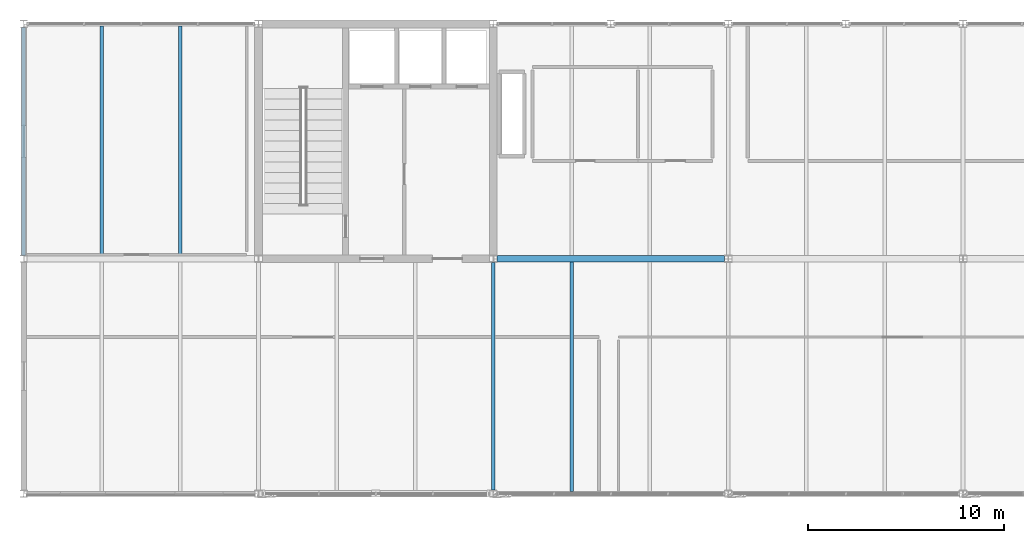
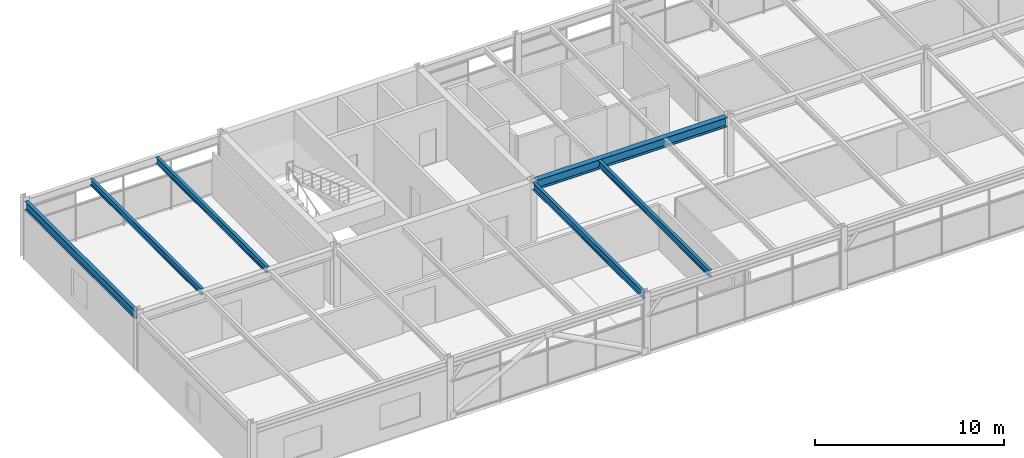
# One storey, part 10 of 40: 6 beams.
"""IFC4 building model written with IfcOpenShell, lengths in metres."""

from ifc_helpers import new_model, si_unit, direction, frame, origin, origin_2d, place, context, subcontext, project, spatial, i_section, extrude, material, material_profile, profile_set, type_object, element, save


model = new_model("IFC4")

# Units and contexts
model_context = context("Model", 3, precision=1e-05, world=origin(), true_north=direction((0.0, 1.0)))
body_context = subcontext(model_context, "Body", "Model", "MODEL_VIEW")
ifc_project = project(units=[si_unit("LENGTHUNIT", "METRE"), si_unit("AREAUNIT", "SQUARE_METRE"), si_unit("VOLUMEUNIT", "CUBIC_METRE"), si_unit("PLANEANGLEUNIT", "RADIAN"), si_unit("MASSUNIT", "GRAM", prefix="KILO")], contexts=[model_context])

# Site, building, storey
site_placement = place(None, origin())
site = spatial("IfcSite", under=ifc_project, at=site_placement, CompositionType="ELEMENT")
building_placement = place(site_placement, origin())
building = spatial("IfcBuilding", under=site, at=building_placement, Name="Girod Span Mobility Hub", CompositionType="ELEMENT")
storey_placement = place(building_placement, frame((0.0, 0.0, 57.60009765625)))
storey = spatial("IfcBuildingStorey", under=building, at=storey_placement, Name="L14", CompositionType="ELEMENT", Elevation=57.60009765625)

# Beams
ifc_material_1 = material(Name="Steel A992 Grade 50", Category="steel")
ifc_material_profile_1 = material_profile(ifc_material_1, i_section(OverallWidth=0.178955078125, OverallDepth=0.409912109375, WebThickness=0.0087890625, FlangeThickness=0.014404296875, FilletRadius=0.012939453125, at=origin_2d()), Name="W16X45")
ifc_profile_set_1 = profile_set([ifc_material_profile_1], Name="Steel A992 Grade 50")
beam_type_1 = type_object("IfcBeamType", Name="BM-STL-W16X45", PredefinedType="BEAM", material=ifc_profile_set_1)
for number, where, z_axis, x_axis, name in (
    (1, (40.0, 57.158935546875, 3.554931640625), (0.0, 1.0, 0.0), (-1.0, 0.0, 0.0), "Composite Floorbeam 4/E-1 L14"),
    (2, (44.0, 57.158935546875, 3.554931640625), (0.0, 1.0, 0.0), (-1.0, 0.0, 0.0), "Composite Floorbeam 4/E-2 L14"),
    (3, (64.0, 45.10302734375, 3.64501953125), (0.0, 1.0, 0.0), (-1.0, 0.0, 0.0), "Composite Floorbeam 6/D-1 L14"),
):
    element("IfcBeam", number, at=place(storey_placement, frame(where, z_axis=z_axis, x_axis=x_axis)), inside=storey, type_object=beam_type_1, Name=name, PredefinedType="BEAM", context=body_context, shape_type="SweptSolid", body=[
        extrude(i_section(OverallWidth=0.178955078125, OverallDepth=0.409912109375, WebThickness=0.0087890625, FlangeThickness=0.014404296875, FilletRadius=0.012939453125, at=origin_2d()), origin(), (0.0, 0.0, 1.0), 11.738037109375),
    ])
ifc_material_2 = material(Name="Steel A992 Grade 50", Category="steel")
ifc_material_profile_2 = material_profile(ifc_material_2, i_section(OverallWidth=0.19189453125, OverallDepth=0.462890625, WebThickness=0.010498046875, FlangeThickness=0.017578125, FilletRadius=0.013916015625, at=origin_2d()), Name="W18X60")
ifc_profile_set_2 = profile_set([ifc_material_profile_2], Name="Steel A992 Grade 50")
beam_type_2 = type_object("IfcBeamType", Name="BM-STL-W18X60", PredefinedType="BEAM", material=ifc_profile_set_2)
beam_1_placement = place(storey_placement, frame((60.0, 45.175048828125, 3.618408203125), z_axis=(0.0, 1.0, 0.0), x_axis=(-1.0, 0.0, 0.0)))
element("IfcBeam", 4, at=beam_1_placement, inside=storey, type_object=beam_type_2, Name="Tie Girder 6/D-E L14", PredefinedType="BEAM", context=body_context, shape_type="SweptSolid", body=[
    extrude(i_section(OverallWidth=0.19189453125, OverallDepth=0.462890625, WebThickness=0.010498046875, FlangeThickness=0.017578125, FilletRadius=0.013916015625, at=origin_2d()), origin(), (0.0, 0.0, 1.0), 11.640380859375),
])
ifc_material_3 = material(Name="Steel A992 Grade 50", Category="steel")
ifc_material_profile_3 = material_profile(ifc_material_3, i_section(OverallWidth=0.2119140625, OverallDepth=0.5439453125, WebThickness=0.01318359375, FlangeThickness=0.021240234375, FilletRadius=0.014892578125, at=origin_2d()), Name="W21X83")
ifc_profile_set_3 = profile_set([ifc_material_profile_3], Name="Steel A992 Grade 50")
beam_type_3 = type_object("IfcBeamType", Name="BM-STL-W21X83", PredefinedType="SPANDREL", material=ifc_profile_set_3)
beam_2_placement = place(storey_placement, frame((36.0, 57.175048828125, 3.48779296875), z_axis=(0.0, 1.0, 0.0), x_axis=(-1.0, 0.0, 0.0)))
element("IfcBeam", 5, at=beam_2_placement, inside=storey, type_object=beam_type_3, Name="Tie Girder 4/E-F L14", PredefinedType="SPANDREL", context=body_context, shape_type="SweptSolid", body=[
    extrude(i_section(OverallWidth=0.2119140625, OverallDepth=0.5439453125, WebThickness=0.01318359375, FlangeThickness=0.021240234375, FilletRadius=0.014892578125, at=origin_2d()), origin(), (0.0, 0.0, 1.0), 11.64990234375),
])
ifc_material_4 = material(Name="Steel A992 Grade 50", Category="steel")
ifc_material_profile_4 = material_profile(ifc_material_4, i_section(OverallWidth=0.323974609375, OverallDepth=0.611083984375, WebThickness=0.0126953125, FlangeThickness=0.01904296875, FilletRadius=0.014892578125, at=origin_2d()), Name="W24X104")
ifc_profile_set_4 = profile_set([ifc_material_profile_4], Name="Steel A992 Grade 50")
beam_type_4 = type_object("IfcBeamType", Name="BM-STL-W24X104", PredefinedType="BEAM", material=ifc_profile_set_4)
beam_3_placement = place(storey_placement, frame((60.194091796875, 57.0, 3.54443359375), z_axis=(1.0, 0.0, 0.0), x_axis=(0.0, 1.0, 0.0)))
element("IfcBeam", 6, at=beam_3_placement, inside=storey, type_object=beam_type_4, Name="Girder 6-7/E L14", PredefinedType="BEAM", context=body_context, shape_type="SweptSolid", body=[
    extrude(i_section(OverallWidth=0.323974609375, OverallDepth=0.611083984375, WebThickness=0.0126953125, FlangeThickness=0.01904296875, FilletRadius=0.014892578125, at=origin_2d()), origin(), (0.0, 0.0, 1.0), 11.61181640625),
])

save(model, "model.ifc")
